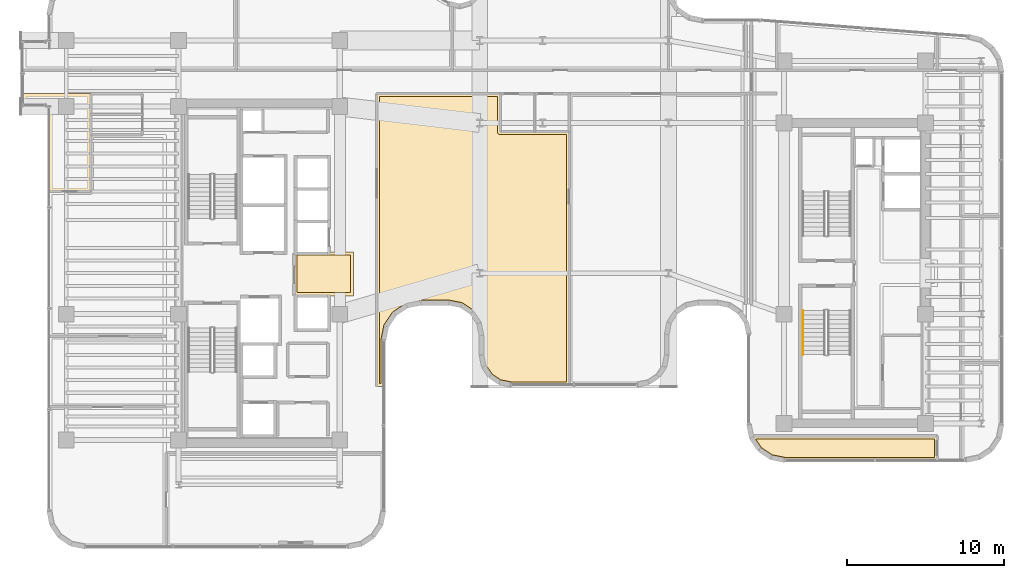
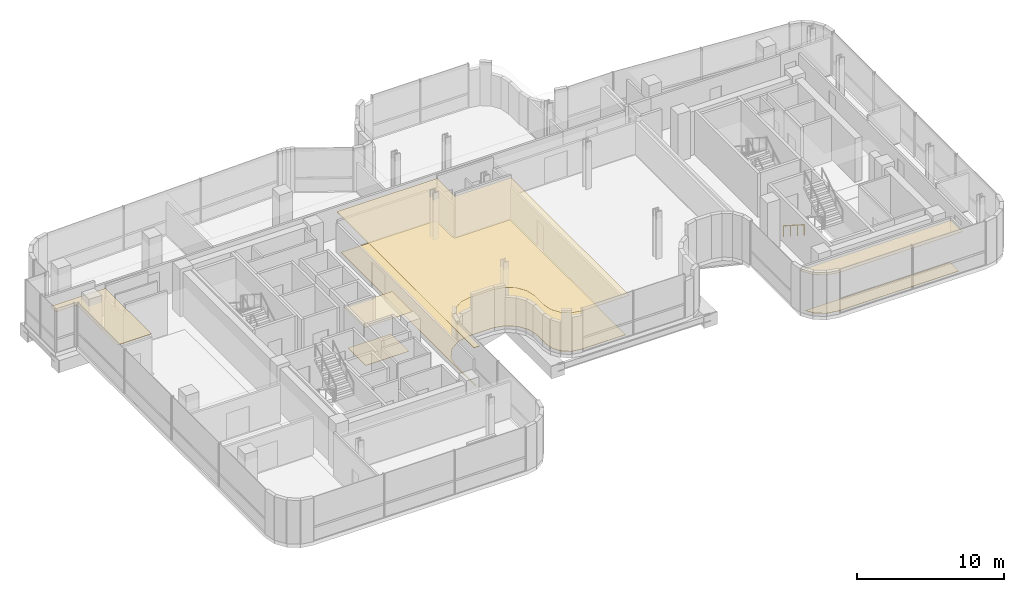
# One storey, part 33 of 37: 7 coverings, 1 railing.
"""IFC4 building model written with IfcOpenShell, lengths in metres."""

from ifc_helpers import new_model, si_unit, direction, frame, origin, origin_2d, place, context, subcontext, project, spatial, polyline, circle, outline, extrude, material, layer, layer_set, type_object, element, save


model = new_model("IFC4")

# Units and contexts
model_context = context("Model", 3, precision=1e-05, world=origin(), true_north=direction((0.0, 1.0)))
body_context = subcontext(model_context, "Body", "Model", "MODEL_VIEW")
ifc_project = project(units=[si_unit("LENGTHUNIT", "METRE"), si_unit("AREAUNIT", "SQUARE_METRE"), si_unit("VOLUMEUNIT", "CUBIC_METRE"), si_unit("PLANEANGLEUNIT", "RADIAN"), si_unit("MASSUNIT", "GRAM", prefix="KILO")], contexts=[model_context])

# Site, building, storey
site_placement = place(None, origin())
site = spatial("IfcSite", under=ifc_project, at=site_placement, CompositionType="ELEMENT")
building_placement = place(site_placement, origin())
building = spatial("IfcBuilding", under=site, at=building_placement, Name="Valdorenza Pilgrim Sanctuary Tower", CompositionType="ELEMENT")
storey_placement = place(building_placement, frame((0.0, 0.0, 188.39990234375)))
storey = spatial("IfcBuildingStorey", under=building, at=storey_placement, Name="L48", CompositionType="ELEMENT", Elevation=188.39990234375)

# Coverings
ifc_material_1 = material(Name="Micro-perforated acoustic mineral ceiling tile", Category="gypsum")
ifc_layer_1 = layer(ifc_material_1, 0.02490234375, Name="Micro-perforated acoustic mineral ceiling tile")
ifc_layer_set_1 = layer_set([ifc_layer_1], Name="Micro-perforated acoustic mineral ceiling tile")
covering_type_1 = type_object("IfcCoveringType", Name="COV-CLG-ACU", PredefinedType="CEILING", material=ifc_layer_set_1)
covering_1_placement = place(storey_placement, frame((0.0, 0.0, 3.330078125)))
element("IfcCovering", 1, at=covering_1_placement, inside=storey, type_object=covering_type_1, Name="L48 Core A Passenger Lift Lobby Acoustic Ceiling", PredefinedType="CEILING", context=body_context, shape_type="SweptSolid", body=[
    extrude(outline(polyline([(-15.31298828125, 1.244384765625), (-15.31298828125, 1.24462890625), (-15.313720703125, 1.24609375), (-15.314208984375, 1.24755859375), (-15.314697265625, 1.2490234375), (-15.31494140625, 1.25048828125), (-15.31494140625, 1.251953125), (-15.31494140625, 1.35009765625), (-15.31494140625, 1.3515625), (-15.314697265625, 1.352783203125), (-15.314453125, 1.3544921875), (-15.31396484375, 1.355712890625), (-15.313232421875, 1.357177734375), (-15.3125, 1.3583984375), (-15.3115234375, 1.359619140625), (-15.310546875, 1.360595703125), (-15.3095703125, 1.361572265625), (-15.308349609375, 1.362548828125), (-15.30712890625, 1.36328125), (-15.3056640625, 1.364013671875), (-15.304443359375, 1.364501953125), (-15.302978515625, 1.36474609375), (-15.301513671875, 1.364990234375), (-15.300048828125, 1.364990234375), (-15.10205078125, 1.364990234375), (-15.1005859375, 1.364990234375), (-15.09912109375, 1.36474609375), (-15.097412109375, 1.3642578125), (-15.09619140625, 1.36376953125), (-15.0947265625, 1.363037109375), (-15.094482421875, 1.363037109375), (-13.185546875, 1.363037109375), (-13.185302734375, 1.363037109375), (-13.183837890625, 1.36376953125), (-13.1826171875, 1.3642578125), (-13.180908203125, 1.36474609375), (-13.179443359375, 1.364990234375), (-13.177978515625, 1.364990234375), (-11.550048828125, 1.364990234375), (-11.548583984375, 1.364990234375), (-11.547119140625, 1.36474609375), (-11.545654296875, 1.364501953125), (-11.544189453125, 1.364013671875), (-11.54296875, 1.36328125), (-11.541748046875, 1.362548828125), (-11.54052734375, 1.361572265625), (-11.539306640625, 1.360595703125), (-11.538330078125, 1.359619140625), (-11.53759765625, 1.3583984375), (-11.536865234375, 1.357177734375), (-11.5361328125, 1.355712890625), (-11.53564453125, 1.3544921875), (-11.535400390625, 1.352783203125), (-11.53515625, 1.3515625), (-11.534912109375, 1.35009765625), (-11.534912109375, -1.419921875), (-11.53515625, -1.42138671875), (-11.535400390625, -1.4228515625), (-11.53564453125, -1.42431640625), (-11.5361328125, -1.42578125), (-11.536865234375, -1.427001953125), (-11.53759765625, -1.42822265625), (-11.538330078125, -1.429443359375), (-11.539306640625, -1.4306640625), (-11.54052734375, -1.431640625), (-11.541748046875, -1.4326171875), (-11.54296875, -1.43310546875), (-11.544189453125, -1.433837890625), (-11.545654296875, -1.434326171875), (-11.547119140625, -1.434814453125), (-11.548583984375, -1.434814453125), (-11.550048828125, -1.43505859375), (-15.298095703125, -1.43505859375), (-15.299560546875, -1.434814453125), (-15.30078125, -1.434814453125), (-15.302490234375, -1.434326171875), (-15.3037109375, -1.433837890625), (-15.30517578125, -1.43310546875), (-15.306396484375, -1.4326171875), (-15.3076171875, -1.431640625), (-15.30859375, -1.4306640625), (-15.3095703125, -1.429443359375), (-15.310546875, -1.42822265625), (-15.311279296875, -1.427001953125), (-15.31201171875, -1.42578125), (-15.3125, -1.42431640625), (-15.312744140625, -1.4228515625), (-15.31298828125, -1.42138671875), (-15.31298828125, -1.419921875), (-15.31298828125, 1.244384765625)])), origin(), (0.0, 0.0, 1.0), 0.02490234375),
])
covering_2_placement = place(storey_placement, frame((0.0, 0.0, 3.330078125)))
element("IfcCovering", 2, at=covering_2_placement, inside=storey, type_object=covering_type_1, Name="L48 North Contemplation Lounge L48 Acoustic Ceiling", PredefinedType="CEILING", context=body_context, shape_type="SweptSolid", body=[
    extrude(outline(polyline([(-28.237060546875, 8.805419921875), (-28.23681640625, 8.805419921875), (-28.236083984375, 8.803955078125), (-28.235595703125, 8.802490234375), (-28.2353515625, 8.801025390625), (-28.235107421875, 8.799560546875), (-28.235107421875, 8.798095703125), (-28.235107421875, 5.199951171875), (-28.235107421875, 5.198486328125), (-28.2353515625, 5.197021484375), (-28.235595703125, 5.195556640625), (-28.236083984375, 5.1943359375), (-28.23681640625, 5.19287109375), (-28.237548828125, 5.191650390625), (-28.23828125, 5.1904296875), (-28.239501953125, 5.189453125), (-28.240478515625, 5.1884765625), (-28.24169921875, 5.1875), (-28.242919921875, 5.186767578125), (-28.244384765625, 5.18603515625), (-28.24560546875, 5.185546875), (-28.2470703125, 5.185302734375), (-28.24853515625, 5.18505859375), (-28.25, 5.18505859375), (-30.889892578125, 5.18505859375), (-30.8916015625, 5.18505859375), (-30.892822265625, 5.185302734375), (-30.894287109375, 5.185546875), (-30.895751953125, 5.18603515625), (-30.897216796875, 5.186767578125), (-30.898193359375, 5.1875), (-30.8994140625, 5.1884765625), (-30.900634765625, 5.189453125), (-30.901611328125, 5.1904296875), (-30.902587890625, 5.191650390625), (-30.9033203125, 5.19287109375), (-30.90380859375, 5.1943359375), (-30.904296875, 5.195556640625), (-30.90478515625, 5.197021484375), (-30.90478515625, 5.198486328125), (-30.905029296875, 5.199951171875), (-30.905029296875, 10.599609375), (-30.905517578125, 10.609375), (-30.90673828125, 10.618408203125), (-30.9091796875, 10.627685546875), (-30.912109375, 10.63623046875), (-30.916259765625, 10.644775390625), (-30.9208984375, 10.65283203125), (-30.926513671875, 10.660400390625), (-30.932861328125, 10.667236328125), (-30.939697265625, 10.67333984375), (-30.947265625, 10.678955078125), (-30.955078125, 10.683837890625), (-30.963623046875, 10.687744140625), (-30.972412109375, 10.69091796875), (-30.9814453125, 10.693115234375), (-30.99072265625, 10.694580078125), (-31.00048828125, 10.695068359375), (-32.5400390625, 10.695068359375), (-32.54150390625, 10.695068359375), (-32.54296875, 10.6953125), (-32.54443359375, 10.695556640625), (-32.545654296875, 10.696044921875), (-32.547119140625, 10.69677734375), (-32.54833984375, 10.697509765625), (-32.549560546875, 10.698486328125), (-32.550537109375, 10.699462890625), (-32.551513671875, 10.700439453125), (-32.552490234375, 10.70166015625), (-32.55322265625, 10.702880859375), (-32.553955078125, 10.704345703125), (-32.554443359375, 10.70556640625), (-32.5546875, 10.70703125), (-32.554931640625, 10.70849609375), (-32.554931640625, 10.7099609375), (-32.554931640625, 11.419921875), (-32.554931640625, 11.42138671875), (-32.5546875, 11.4228515625), (-32.554443359375, 11.42431640625), (-32.553955078125, 11.42578125), (-32.55322265625, 11.427001953125), (-32.552490234375, 11.42822265625), (-32.551513671875, 11.429443359375), (-32.550537109375, 11.4306640625), (-32.549560546875, 11.431640625), (-32.54833984375, 11.4326171875), (-32.547119140625, 11.43310546875), (-32.545654296875, 11.433837890625), (-32.54443359375, 11.434326171875), (-32.54296875, 11.434814453125), (-32.54150390625, 11.434814453125), (-32.5400390625, 11.43505859375), (-28.25, 11.43505859375), (-28.24853515625, 11.434814453125), (-28.2470703125, 11.434814453125), (-28.24560546875, 11.434326171875), (-28.244384765625, 11.433837890625), (-28.242919921875, 11.43310546875), (-28.24169921875, 11.4326171875), (-28.240478515625, 11.431640625), (-28.239501953125, 11.4306640625), (-28.23828125, 11.429443359375), (-28.237548828125, 11.42822265625), (-28.23681640625, 11.427001953125), (-28.236083984375, 11.42578125), (-28.235595703125, 11.42431640625), (-28.2353515625, 11.4228515625), (-28.235107421875, 11.42138671875), (-28.235107421875, 11.419921875), (-28.235107421875, 11.402099609375), (-28.235107421875, 11.400390625), (-28.2353515625, 11.39892578125), (-28.235595703125, 11.3974609375), (-28.236083984375, 11.39599609375), (-28.23681640625, 11.394775390625), (-28.237060546875, 11.39453125), (-28.237060546875, 10.103759765625), (-28.23681640625, 10.10302734375), (-28.23681640625, 10.1015625), (-28.23681640625, 10.10009765625), (-28.23681640625, 10.098388671875), (-28.237060546875, 10.09814453125), (-28.237060546875, 8.805419921875)])), origin(), (0.0, 0.0, 1.0), 0.02490234375),
])
covering_3_placement = place(storey_placement, frame((0.0, 0.0, 3.330078125)))
element("IfcCovering", 3, at=covering_3_placement, inside=storey, type_object=covering_type_1, Name="L48 Congregational Prayer Hall Acoustic Ceiling", PredefinedType="CEILING", context=body_context, shape_type="SweptSolid", body=[
    extrude(outline(polyline([(-10.06494140625, 11.419921875), (-10.06494140625, 11.42138671875), (-10.064697265625, 11.4228515625), (-10.064453125, 11.42431640625), (-10.06396484375, 11.42578125), (-10.063232421875, 11.427001953125), (-10.0625, 11.42822265625), (-10.0615234375, 11.429443359375), (-10.060546875, 11.4306640625), (-10.0595703125, 11.431640625), (-10.058349609375, 11.4326171875), (-10.05712890625, 11.43310546875), (-10.0556640625, 11.433837890625), (-10.054443359375, 11.434326171875), (-10.052978515625, 11.434814453125), (-10.051513671875, 11.434814453125), (-10.050048828125, 11.43505859375), (-2.201904296875, 11.43505859375), (-2.200439453125, 11.434814453125), (-2.19921875, 11.434814453125), (-2.197509765625, 11.434326171875), (-2.1962890625, 11.433837890625), (-2.19482421875, 11.43310546875), (-2.193603515625, 11.4326171875), (-2.1923828125, 11.431640625), (-2.19140625, 11.4306640625), (-2.1904296875, 11.429443359375), (-2.189453125, 11.42822265625), (-2.188720703125, 11.427001953125), (-2.18798828125, 11.42578125), (-2.1875, 11.42431640625), (-2.187255859375, 11.4228515625), (-2.18701171875, 11.42138671875), (-2.18701171875, 11.419921875), (-2.18701171875, 9.012939453125), (-0.001708984375, 9.012939453125), (-0.001220703125, 9.01318359375), (0.00048828125, 9.01318359375), (0.001953125, 9.01318359375), (0.00341796875, 9.01318359375), (0.00390625, 9.012939453125), (2.199951171875, 9.012939453125), (2.201416015625, 9.012939453125), (2.202880859375, 9.0126953125), (2.204345703125, 9.012451171875), (2.205810546875, 9.011962890625), (2.20703125, 9.01123046875), (2.208251953125, 9.010498046875), (2.20947265625, 9.009521484375), (2.210693359375, 9.008544921875), (2.211669921875, 9.007568359375), (2.21240234375, 9.00634765625), (2.213134765625, 9.005126953125), (2.2138671875, 9.003662109375), (2.21435546875, 9.00244140625), (2.214599609375, 9.0009765625), (2.21484375, 8.99951171875), (2.215087890625, 8.998046875), (2.215087890625, -7.090087890625), (2.21484375, -7.091552734375), (2.214599609375, -7.093017578125), (2.21435546875, -7.094482421875), (2.2138671875, -7.095703125), (2.213134765625, -7.09716796875), (2.21240234375, -7.098388671875), (2.211669921875, -7.099609375), (2.210693359375, -7.1005859375), (2.20947265625, -7.1015625), (2.208251953125, -7.1025390625), (2.20703125, -7.103271484375), (2.205810546875, -7.10400390625), (2.204345703125, -7.1044921875), (2.202880859375, -7.104736328125), (2.201416015625, -7.10498046875), (2.199951171875, -7.10498046875), (-1.51318359375, -7.10498046875), (-1.5146484375, -7.10498046875), (-1.51611328125, -7.104736328125), (-2.240234375, -6.960693359375), (-2.24169921875, -6.960205078125), (-2.242919921875, -6.959716796875), (-2.244384765625, -6.959228515625), (-2.24560546875, -6.95849609375), (-2.85009765625, -6.554443359375), (-2.851318359375, -6.553466796875), (-2.8525390625, -6.552490234375), (-2.853515625, -6.551513671875), (-2.8544921875, -6.55029296875), (-3.258544921875, -5.945556640625), (-3.25927734375, -5.9443359375), (-3.259765625, -5.943115234375), (-3.26025390625, -5.941650390625), (-3.2607421875, -5.940185546875), (-3.40478515625, -5.216064453125), (-3.40478515625, -5.214599609375), (-3.405029296875, -5.213134765625), (-3.405029296875, -3.976318359375), (-3.405517578125, -3.966796875), (-3.406982421875, -3.95703125), (-3.55712890625, -3.20166015625), (-3.5595703125, -3.192138671875), (-3.5625, -3.183349609375), (-3.566650390625, -3.175048828125), (-3.571533203125, -3.166748046875), (-3.99951171875, -2.5263671875), (-4.00537109375, -2.5185546875), (-4.01171875, -2.51171875), (-4.0185546875, -2.50537109375), (-4.0263671875, -2.49951171875), (-4.666748046875, -2.071533203125), (-4.675048828125, -2.066650390625), (-4.683349609375, -2.0625), (-4.692138671875, -2.0595703125), (-4.70166015625, -2.05712890625), (-5.45703125, -1.906982421875), (-5.466796875, -1.905517578125), (-5.476318359375, -1.905029296875), (-7.219482421875, -1.905029296875), (-7.229248046875, -1.905517578125), (-7.239013671875, -1.906982421875), (-8.110595703125, -2.080322265625), (-8.1201171875, -2.082763671875), (-8.12890625, -2.085693359375), (-8.13720703125, -2.08984375), (-8.1455078125, -2.0947265625), (-8.884765625, -2.588623046875), (-8.892578125, -2.594482421875), (-8.8994140625, -2.6005859375), (-8.905517578125, -2.607421875), (-8.911376953125, -2.615234375), (-9.4052734375, -3.3544921875), (-9.41015625, -3.36279296875), (-9.414306640625, -3.37109375), (-9.417236328125, -3.3798828125), (-9.419677734375, -3.389404296875), (-9.593017578125, -4.260986328125), (-9.594482421875, -4.270751953125), (-9.594970703125, -4.280517578125), (-9.594970703125, -7.199951171875), (-9.59521484375, -7.201416015625), (-9.59521484375, -7.202880859375), (-9.595703125, -7.204345703125), (-9.59619140625, -7.205810546875), (-9.5966796875, -7.20703125), (-9.597412109375, -7.208251953125), (-9.598388671875, -7.20947265625), (-9.599365234375, -7.210693359375), (-9.6005859375, -7.211669921875), (-9.601806640625, -7.21240234375), (-9.602783203125, -7.213134765625), (-9.604248046875, -7.2138671875), (-9.605712890625, -7.21435546875), (-9.607177734375, -7.214599609375), (-9.6083984375, -7.21484375), (-9.610107421875, -7.215087890625), (-10.050048828125, -7.215087890625), (-10.051513671875, -7.21484375), (-10.052978515625, -7.214599609375), (-10.054443359375, -7.21435546875), (-10.0556640625, -7.2138671875), (-10.05712890625, -7.213134765625), (-10.058349609375, -7.21240234375), (-10.0595703125, -7.211669921875), (-10.060546875, -7.210693359375), (-10.0615234375, -7.20947265625), (-10.0625, -7.208251953125), (-10.063232421875, -7.20703125), (-10.06396484375, -7.205810546875), (-10.064453125, -7.204345703125), (-10.064697265625, -7.202880859375), (-10.06494140625, -7.201416015625), (-10.06494140625, -7.199951171875), (-10.06494140625, 11.419921875)])), origin(), (0.0, 0.0, 1.0), 0.02490234375),
])
covering_4_placement = place(storey_placement, frame((0.0, 0.0, 3.330078125)))
element("IfcCovering", 4, at=covering_4_placement, inside=storey, type_object=covering_type_1, Name="L48 Sacred Manuscript Archive L48-BS Acoustic Ceiling", PredefinedType="CEILING", context=body_context, shape_type="SweptSolid", body=[
    extrude(outline(polyline([(25.614990234375, -11.889892578125), (25.614990234375, -11.8916015625), (25.61474609375, -11.892822265625), (25.614501953125, -11.894287109375), (25.614013671875, -11.895751953125), (25.61328125, -11.897216796875), (25.612548828125, -11.898193359375), (25.611572265625, -11.8994140625), (25.610595703125, -11.900634765625), (25.609619140625, -11.901611328125), (25.6083984375, -11.902587890625), (25.607177734375, -11.9033203125), (25.605712890625, -11.90380859375), (25.6044921875, -11.904296875), (25.602783203125, -11.90478515625), (25.6015625, -11.90478515625), (25.60009765625, -11.905029296875), (15.910888671875, -11.905029296875), (15.909423828125, -11.90478515625), (15.907958984375, -11.90478515625), (15.021484375, -11.728515625), (15.020263671875, -11.72802734375), (15.018798828125, -11.7275390625), (15.017333984375, -11.726806640625), (15.01611328125, -11.726318359375), (14.27392578125, -11.230224609375), (14.272705078125, -11.2294921875), (14.271484375, -11.228515625), (14.2705078125, -11.227294921875), (14.269775390625, -11.22607421875), (13.773681640625, -10.48388671875), (13.773193359375, -10.482666015625), (13.7724609375, -10.481201171875), (13.77197265625, -10.479736328125), (13.771484375, -10.478515625), (13.74658203125, -10.352783203125), (13.746337890625, -10.3515625), (13.746337890625, -10.35009765625), (13.746337890625, -10.348388671875), (13.74658203125, -10.34716796875), (13.7470703125, -10.345703125), (13.74755859375, -10.34423828125), (13.748046875, -10.343017578125), (13.748779296875, -10.341796875), (13.749755859375, -10.340576171875), (13.750732421875, -10.33935546875), (13.751708984375, -10.33837890625), (13.7529296875, -10.33740234375), (13.75439453125, -10.3369140625), (13.755615234375, -10.336181640625), (13.757080078125, -10.335693359375), (13.75830078125, -10.335205078125), (13.760009765625, -10.335205078125), (13.761474609375, -10.3349609375), (25.60009765625, -10.3349609375), (25.6015625, -10.335205078125), (25.602783203125, -10.335205078125), (25.6044921875, -10.335693359375), (25.605712890625, -10.336181640625), (25.607177734375, -10.3369140625), (25.6083984375, -10.33740234375), (25.609619140625, -10.33837890625), (25.610595703125, -10.33935546875), (25.611572265625, -10.340576171875), (25.612548828125, -10.341796875), (25.61328125, -10.343017578125), (25.614013671875, -10.34423828125), (25.614501953125, -10.345703125), (25.61474609375, -10.34716796875), (25.614990234375, -10.348388671875), (25.614990234375, -10.35009765625), (25.614990234375, -11.889892578125)])), origin(), (0.0, 0.0, 1.0), 0.02490234375),
])
ifc_material_2 = material(Name="Honed travertine stone flooring", Category="masonry")
ifc_layer_2 = layer(ifc_material_2, 0.030029296875, Name="Honed travertine stone flooring")
ifc_layer_set_2 = layer_set([ifc_layer_2], Name="Honed travertine stone flooring")
covering_type_2 = type_object("IfcCoveringType", Name="COV-FLR-TRV", PredefinedType="FLOORING", material=ifc_layer_set_2)
covering_5_placement = place(storey_placement, origin())
element("IfcCovering", 5, at=covering_5_placement, inside=storey, type_object=covering_type_2, Name="L48 Core A Passenger Lift Lobby Flooring", PredefinedType="FLOORING", context=body_context, shape_type="SweptSolid", body=[
    extrude(outline(polyline([(-15.117919921875, 1.169189453125), (-15.10888671875, 1.168212890625), (-15.10888671875, 1.168212890625), (-15.10009765625, 1.16796875), (-13.179931640625, 1.16796875), (-13.1796875, 1.16796875), (-11.72998046875, 1.169921875), (-11.72998046875, -1.239990234375), (-15.117919921875, -1.239990234375), (-15.117919921875, 1.169189453125)])), origin(), (0.0, 0.0, 1.0), 0.025146484375),
])
covering_6_placement = place(storey_placement, origin())
element("IfcCovering", 6, at=covering_6_placement, inside=storey, type_object=covering_type_2, Name="L48 Congregational Prayer Hall Flooring", PredefinedType="FLOORING", context=body_context, shape_type="SweptSolid", body=[
    extrude(outline(polyline([(-9.8701171875, 11.239990234375), (-2.382080078125, 11.239990234375), (-2.382080078125, 9.0), (-2.3818359375, 8.9912109375), (-2.3818359375, 8.990966796875), (-2.3798828125, 8.973388671875), (-2.3798828125, 8.97314453125), (-2.376708984375, 8.955810546875), (-2.37646484375, 8.955810546875), (-2.371337890625, 8.938720703125), (-2.371337890625, 8.938720703125), (-2.364501953125, 8.92236328125), (-2.364501953125, 8.922119140625), (-2.356201171875, 8.906494140625), (-2.356201171875, 8.906494140625), (-2.34619140625, 8.8916015625), (-2.34619140625, 8.8916015625), (-2.3349609375, 8.8779296875), (-2.334716796875, 8.877685546875), (-2.322265625, 8.865234375), (-2.322021484375, 8.864990234375), (-2.30859375, 8.85400390625), (-2.308349609375, 8.853759765625), (-2.293701171875, 8.843994140625), (-2.29345703125, 8.84375), (-2.27783203125, 8.83544921875), (-2.277587890625, 8.83544921875), (-2.261474609375, 8.82861328125), (-2.26123046875, 8.82861328125), (-2.244384765625, 8.823486328125), (-2.244140625, 8.823486328125), (-2.226806640625, 8.820068359375), (-2.2265625, 8.820068359375), (-2.208984375, 8.818115234375), (-2.208740234375, 8.818115234375), (-2.199951171875, 8.818115234375), (0.0, 8.818115234375), (0.0009765625, 8.818115234375), (0.001708984375, 8.818115234375), (0.001953125, 8.818115234375), (2.02001953125, 8.818115234375), (2.02001953125, -6.909912109375), (-1.495361328125, -6.909912109375), (-2.1669921875, -6.7763671875), (-2.712158203125, -6.412109375), (-3.076416015625, -5.866943359375), (-3.2099609375, -5.1953125), (-3.2099609375, -3.97607421875), (-3.210205078125, -3.96728515625), (-3.210693359375, -3.956298828125), (-3.21240234375, -3.938720703125), (-3.214111328125, -3.927978515625), (-3.215576171875, -3.91943359375), (-3.365966796875, -3.1630859375), (-3.367919921875, -3.154541015625), (-3.37060546875, -3.14404296875), (-3.375732421875, -3.127197265625), (-3.37939453125, -3.1171875), (-3.385986328125, -3.1005859375), (-3.390625, -3.091064453125), (-3.39892578125, -3.075439453125), (-3.404541015625, -3.066162109375), (-3.4091796875, -3.05859375), (-3.837646484375, -2.417724609375), (-3.8427734375, -2.410400390625), (-3.84912109375, -2.40185546875), (-3.8603515625, -2.38818359375), (-3.86767578125, -2.380126953125), (-3.880126953125, -2.36767578125), (-3.88818359375, -2.3603515625), (-3.90185546875, -2.34912109375), (-3.910400390625, -2.3427734375), (-3.917724609375, -2.337646484375), (-4.55859375, -1.9091796875), (-4.566162109375, -1.904541015625), (-4.575439453125, -1.89892578125), (-4.591064453125, -1.890625), (-4.6005859375, -1.885986328125), (-4.6171875, -1.87939453125), (-4.627197265625, -1.875732421875), (-4.64404296875, -1.87060546875), (-4.654541015625, -1.867919921875), (-4.6630859375, -1.865966796875), (-5.41943359375, -1.715576171875), (-5.427978515625, -1.714111328125), (-5.438720703125, -1.71240234375), (-5.456298828125, -1.710693359375), (-5.46728515625, -1.710205078125), (-5.47607421875, -1.7099609375), (-7.219970703125, -1.7099609375), (-7.228759765625, -1.710205078125), (-7.239501953125, -1.710693359375), (-7.257080078125, -1.71240234375), (-7.267822265625, -1.714111328125), (-7.276611328125, -1.715576171875), (-8.149169921875, -1.88916015625), (-8.15771484375, -1.89111328125), (-8.168212890625, -1.893798828125), (-8.18505859375, -1.89892578125), (-8.1953125, -1.902587890625), (-8.211669921875, -1.9091796875), (-8.22119140625, -1.913818359375), (-8.23681640625, -1.922119140625), (-8.24609375, -1.927734375), (-8.253662109375, -1.9326171875), (-8.993408203125, -2.4267578125), (-9.00048828125, -2.431884765625), (-9.00927734375, -2.438232421875), (-9.02294921875, -2.449462890625), (-9.031005859375, -2.45654296875), (-9.04345703125, -2.468994140625), (-9.050537109375, -2.47705078125), (-9.061767578125, -2.49072265625), (-9.068115234375, -2.49951171875), (-9.0732421875, -2.506591796875), (-9.5673828125, -3.246337890625), (-9.572265625, -3.25390625), (-9.577880859375, -3.26318359375), (-9.586181640625, -3.27880859375), (-9.5908203125, -3.288330078125), (-9.597412109375, -3.3046875), (-9.60107421875, -3.31494140625), (-9.606201171875, -3.331787109375), (-9.60888671875, -3.34228515625), (-9.61083984375, -3.350830078125), (-9.784423828125, -4.223388671875), (-9.785888671875, -4.232177734375), (-9.78759765625, -4.242919921875), (-9.789306640625, -4.260498046875), (-9.789794921875, -4.271240234375), (-9.7900390625, -4.280029296875), (-9.7900390625, -7.02001953125), (-9.8701171875, -7.02001953125), (-9.8701171875, 11.239990234375)])), origin(), (0.0, 0.0, 1.0), 0.025146484375),
])
covering_7_placement = place(storey_placement, origin())
element("IfcCovering", 7, at=covering_7_placement, inside=storey, type_object=covering_type_2, Name="L48 Sacred Manuscript Archive L48-BS Flooring", PredefinedType="FLOORING", context=body_context, shape_type="SweptSolid", body=[
    extrude(outline(polyline([(14.039306640625, -10.530029296875), (25.419921875, -10.530029296875), (25.419921875, -11.7099609375), (15.9287109375, -11.7099609375), (15.0947265625, -11.544189453125), (14.412109375, -11.087890625), (14.039306640625, -10.530029296875)])), origin(), (0.0, 0.0, 1.0), 0.025146484375),
])

# Railing
ifc_material_3 = material(Name="Brushed stainless steel Grade 316", Category="steel")
railing_type = type_object("IfcRailingType", Name="RLG-HND-920", PredefinedType="HANDRAIL", material=ifc_material_3)
railing_placement = place(storey_placement, frame((17.050048828125, -2.3798828125, 0.1796875)))
element("IfcRailing", 8, at=railing_placement, inside=storey, type_object=railing_type, Name="L48 ST-B2 stair handrail 1", PredefinedType="HANDRAIL", context=body_context, shape_type="SweptSolid", body=[
    extrude(circle(Radius=0.02392578125, at=origin_2d()), frame((0.0, 0.0, 0.8759765625), z_axis=(0.0, -0.841809871826, 0.539774156196), x_axis=(1.0, 0.0, 0.0)), (0.0, 0.0, 1.0), 3.326171875),
    extrude(circle(Radius=0.02099609375, at=origin_2d()), origin(), (0.0, 0.0, 1.0), 0.851806640625),
    extrude(circle(Radius=0.02099609375, at=origin_2d()), frame((0.0, -0.933349609375, 0.598388671875)), (0.0, 0.0, 1.0), 0.851806640625),
    extrude(circle(Radius=0.02099609375, at=origin_2d()), frame((0.0, -1.86669921875, 1.197021484375)), (0.0, 0.0, 1.0), 0.851806640625),
    extrude(circle(Radius=0.02099609375, at=origin_2d()), frame((0.0, -2.800048828125, 1.79541015625)), (0.0, 0.0, 1.0), 0.851806640625),
])

save(model, "model.ifc")
